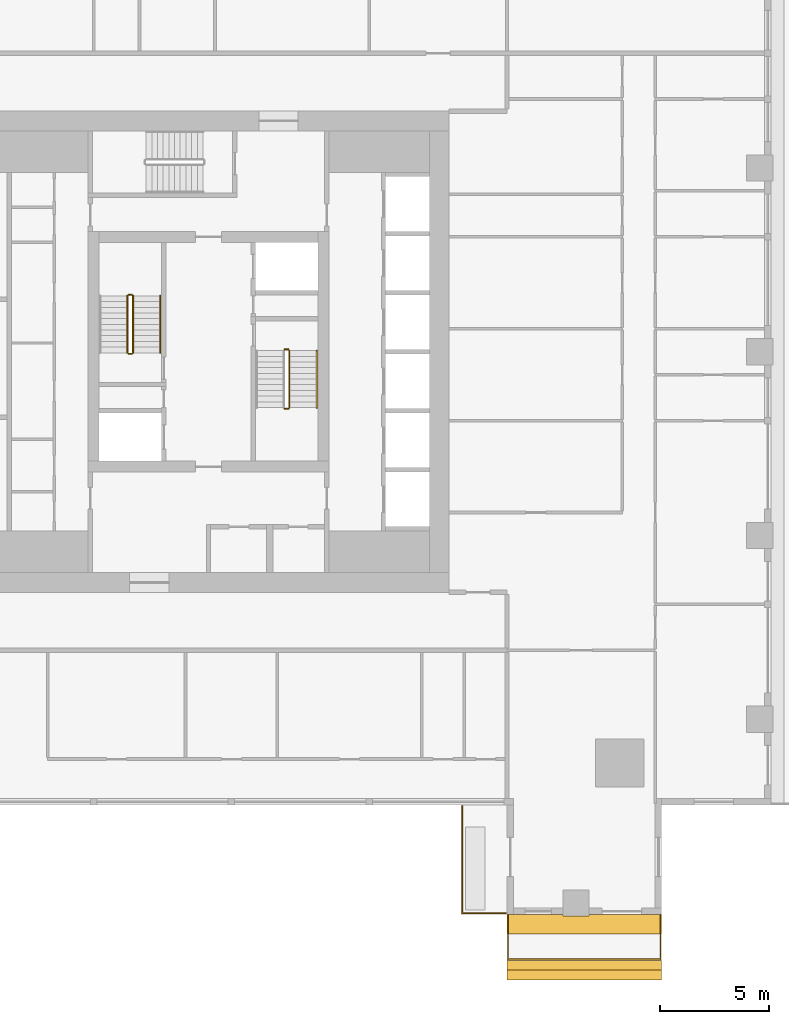
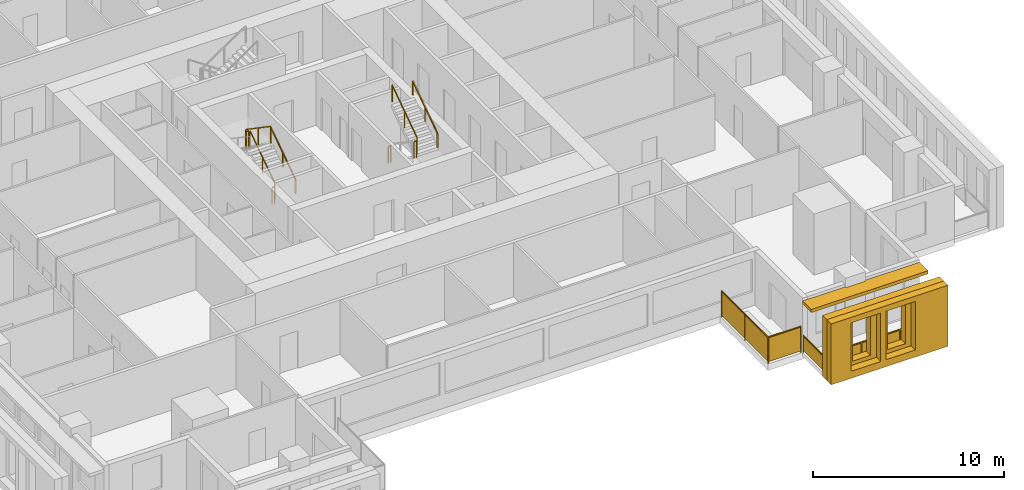
# One storey, part 11 of 14: 11 railings, 3 shading devices.
"""IFC4 building model written with IfcOpenShell, lengths in metres."""

from ifc_helpers import new_model, si_unit, direction, frame, origin, origin_2d, place, context, subcontext, project, spatial, polyline, rectangle, outline, extrude, material, layer, layer_set, type_object, element, save


model = new_model("IFC4")

# Units and contexts
model_context = context("Model", 3, precision=1e-05, world=origin(), true_north=direction((0.0, 1.0)))
body_context = subcontext(model_context, "Body", "Model", "MODEL_VIEW")
ifc_project = project(units=[si_unit("LENGTHUNIT", "METRE"), si_unit("AREAUNIT", "SQUARE_METRE"), si_unit("VOLUMEUNIT", "CUBIC_METRE"), si_unit("PLANEANGLEUNIT", "RADIAN"), si_unit("MASSUNIT", "GRAM", prefix="KILO")], contexts=[model_context])

# Site, building, storey
site_placement = place(None, origin())
site = spatial("IfcSite", under=ifc_project, at=site_placement, CompositionType="ELEMENT")
building_placement = place(site_placement, origin())
building = spatial("IfcBuilding", under=site, at=building_placement, Name="Khepri Terraces", CompositionType="ELEMENT")
storey_placement = place(building_placement, frame((0.0, 0.0, 279.60009765625)))
storey = spatial("IfcBuildingStorey", under=building, at=storey_placement, Name="L67", CompositionType="ELEMENT", Elevation=279.60009765625)

# Railings
ifc_material_1 = material(Name="Stainless steel grade 316", Category="steel")
railing_type_1 = type_object("IfcRailingType", Name="GRD-BAL-1100", PredefinedType="GUARDRAIL", material=ifc_material_1)
railing_1_placement = place(storey_placement, frame((13.699951171875, -25.719970703125, 0.0)))
element("IfcRailing", 1, at=railing_1_placement, inside=storey, type_object=railing_type_1, Name="Balcony guard L67 S", PredefinedType="GUARDRAIL", context=body_context, shape_type="SweptSolid", body=[
    extrude(rectangle(XDim=0.050048828125, YDim=0.06005859375, at=origin_2d()), frame((0.0, 0.0, 1.070068359375), z_axis=(0.0, -1.0, 0.0), x_axis=(1.0, 0.0, 0.0)), (0.0, 0.0, 1.0), 2.050048828125),
    extrude(rectangle(XDim=2.0, YDim=0.011962890625, at=origin_2d()), frame((0.0, -1.02490234375, 0.10009765625), z_axis=(0.0, 0.0, 1.0), x_axis=(0.0, -1.0, 0.0)), (0.0, 0.0, 1.0), 0.93994140625),
    extrude(rectangle(XDim=0.050048828125, YDim=0.06005859375, at=origin_2d()), frame((0.0, -2.050048828125, 1.070068359375), z_axis=(1.0, 0.0, 0.0), x_axis=(0.0, 1.0, 0.0)), (0.0, 0.0, 1.0), 6.969970703125),
    extrude(rectangle(XDim=2.273193359375, YDim=0.011962890625, at=origin_2d()), frame((1.16162109375, -2.050048828125, 0.10009765625), z_axis=(0.0, 0.0, 1.0), x_axis=(1.0, 0.0, 0.0)), (0.0, 0.0, 1.0), 0.93994140625),
    extrude(rectangle(XDim=2.273193359375, YDim=0.011962890625, at=origin_2d()), frame((3.48486328125, -2.050048828125, 0.10009765625), z_axis=(0.0, 0.0, 1.0), x_axis=(1.0, 0.0, 0.0)), (0.0, 0.0, 1.0), 0.93994140625),
    extrude(rectangle(XDim=2.273193359375, YDim=0.011962890625, at=origin_2d()), frame((5.808349609375, -2.050048828125, 0.10009765625), z_axis=(0.0, 0.0, 1.0), x_axis=(1.0, 0.0, 0.0)), (0.0, 0.0, 1.0), 0.93994140625),
    extrude(rectangle(XDim=0.050048828125, YDim=0.06005859375, at=origin_2d()), frame((6.969970703125, -2.050048828125, 1.070068359375), z_axis=(0.0, 1.0, 0.0), x_axis=(-1.0, 0.0, 0.0)), (0.0, 0.0, 1.0), 2.050048828125),
    extrude(rectangle(XDim=2.0, YDim=0.011962890625, at=origin_2d()), frame((6.969970703125, -1.02490234375, 0.10009765625), z_axis=(0.0, 0.0, 1.0), x_axis=(0.0, 1.0, 0.0)), (0.0, 0.0, 1.0), 0.93994140625),
    extrude(rectangle(XDim=0.050048828125, YDim=0.050048828125, at=origin_2d()), origin(), (0.0, 0.0, 1.0), 1.0400390625),
    extrude(rectangle(XDim=0.050048828125, YDim=0.050048828125, at=origin_2d()), frame((0.0, -2.050048828125, 0.0)), (0.0, 0.0, 1.0), 1.0400390625),
    extrude(rectangle(XDim=0.050048828125, YDim=0.050048828125, at=origin_2d()), frame((2.3232421875, -2.050048828125, 0.0)), (0.0, 0.0, 1.0), 1.0400390625),
    extrude(rectangle(XDim=0.050048828125, YDim=0.050048828125, at=origin_2d()), frame((4.646728515625, -2.050048828125, 0.0)), (0.0, 0.0, 1.0), 1.0400390625),
    extrude(rectangle(XDim=0.050048828125, YDim=0.050048828125, at=origin_2d()), frame((6.969970703125, -2.050048828125, 0.0)), (0.0, 0.0, 1.0), 1.0400390625),
    extrude(rectangle(XDim=0.050048828125, YDim=0.050048828125, at=origin_2d()), frame((6.969970703125, 0.0, 0.0)), (0.0, 0.0, 1.0), 1.0400390625),
])
railing_type_2 = type_object("IfcRailingType", Name="GRD-TERR-1700", PredefinedType="GUARDRAIL", material=ifc_material_1)
railing_2_placement = place(storey_placement, frame((13.580078125, -25.669921875, 0.0)))
element("IfcRailing", 2, at=railing_2_placement, inside=storey, type_object=railing_type_2, Name="Terrace guard L67", PredefinedType="GUARDRAIL", context=body_context, shape_type="SweptSolid", body=[
    extrude(rectangle(XDim=0.050048828125, YDim=0.06005859375, at=origin_2d()), frame((0.0, 0.0, 1.669921875), z_axis=(-1.0, 0.0, 0.0), x_axis=(0.0, -1.0, 0.0)), (0.0, 0.0, 1.0), 1.97998046875),
    extrude(rectangle(XDim=1.929931640625, YDim=0.011962890625, at=origin_2d()), frame((-0.989990234375, 0.0, 0.10009765625), z_axis=(0.0, 0.0, 1.0), x_axis=(-1.0, 0.0, 0.0)), (0.0, 0.0, 1.0), 1.539794921875),
    extrude(rectangle(XDim=0.050048828125, YDim=0.06005859375, at=origin_2d()), frame((-1.97998046875, 0.0, 1.669921875), z_axis=(0.0, 1.0, 0.0), x_axis=(-1.0, 0.0, 0.0)), (0.0, 0.0, 1.0), 4.8798828125),
    extrude(rectangle(XDim=2.389892578125, YDim=0.011962890625, at=origin_2d()), frame((-1.97998046875, 1.219970703125, 0.10009765625), z_axis=(0.0, 0.0, 1.0), x_axis=(0.0, 1.0, 0.0)), (0.0, 0.0, 1.0), 1.539794921875),
    extrude(rectangle(XDim=2.389892578125, YDim=0.011962890625, at=origin_2d()), frame((-1.97998046875, 3.659912109375, 0.10009765625), z_axis=(0.0, 0.0, 1.0), x_axis=(0.0, 1.0, 0.0)), (0.0, 0.0, 1.0), 1.539794921875),
    extrude(rectangle(XDim=0.050048828125, YDim=0.050048828125, at=origin_2d()), origin(), (0.0, 0.0, 1.0), 1.639892578125),
    extrude(rectangle(XDim=0.050048828125, YDim=0.050048828125, at=origin_2d()), frame((-1.97998046875, 0.0, 0.0)), (0.0, 0.0, 1.0), 1.639892578125),
    extrude(rectangle(XDim=0.050048828125, YDim=0.050048828125, at=origin_2d()), frame((-1.97998046875, 2.43994140625, 0.0)), (0.0, 0.0, 1.0), 1.639892578125),
    extrude(rectangle(XDim=0.050048828125, YDim=0.050048828125, at=origin_2d()), frame((-1.97998046875, 4.8798828125, 0.0)), (0.0, 0.0, 1.0), 1.639892578125),
])
ifc_material_2 = material(Name="Stainless steel 316", Category="steel")
railing_type_3 = type_object("IfcRailingType", Name="RL-CORE-GUARD", PredefinedType="GUARDRAIL", material=ifc_material_2)
railing_3_placement = place(storey_placement, frame((-3.449951171875, -0.050048828125, 0.17724609375)))
element("IfcRailing", 3, at=railing_3_placement, inside=storey, type_object=railing_type_3, Name="L67 ST-1 stair guard 1", PredefinedType="GUARDRAIL", context=body_context, shape_type="SweptSolid", body=[
    extrude(rectangle(XDim=0.050048828125, YDim=0.06005859375, at=origin_2d()), frame((0.0, 0.0, 1.070068359375), z_axis=(0.0, 0.826240473404, 0.563317565952), x_axis=(-1.0, 0.0, 0.0)), (0.0, 0.0, 1.0), 3.14697265625),
    extrude(rectangle(XDim=0.050048828125, YDim=0.050048828125, at=origin_2d()), origin(), (0.0, 0.0, 1.0), 1.0400390625),
    extrude(rectangle(XDim=0.050048828125, YDim=0.050048828125, at=origin_2d()), frame((0.0, 1.300048828125, 0.88623046875)), (0.0, 0.0, 1.0), 1.0400390625),
    extrude(rectangle(XDim=0.050048828125, YDim=0.050048828125, at=origin_2d()), frame((0.0, 2.60009765625, 1.772705078125)), (0.0, 0.0, 1.0), 1.0400390625),
])
railing_4_placement = place(storey_placement, frame((-3.5, 2.60009765625, 1.949951171875)))
element("IfcRailing", 4, at=railing_4_placement, inside=storey, type_object=railing_type_3, Name="L67 ST-1 stair guard 2", PredefinedType="GUARDRAIL", context=body_context, shape_type="SweptSolid", body=[
    extrude(rectangle(XDim=0.050048828125, YDim=0.06005859375, at=origin_2d()), frame((0.0, 0.0, 1.070068359375), z_axis=(-1.0, 0.0, 0.0), x_axis=(0.0, -1.0, 0.0)), (0.0, 0.0, 1.0), 0.14990234375),
    extrude(rectangle(XDim=0.050048828125, YDim=0.050048828125, at=origin_2d()), origin(), (0.0, 0.0, 1.0), 1.0400390625),
    extrude(rectangle(XDim=0.050048828125, YDim=0.050048828125, at=origin_2d()), frame((-0.14990234375, 0.0, 0.0)), (0.0, 0.0, 1.0), 1.0400390625),
])
railing_5_placement = place(storey_placement, frame((-3.699951171875, 2.550048828125, 2.127197265625)))
element("IfcRailing", 5, at=railing_5_placement, inside=storey, type_object=railing_type_3, Name="L67 ST-1 stair guard 3", PredefinedType="GUARDRAIL", context=body_context, shape_type="SweptSolid", body=[
    extrude(rectangle(XDim=0.050048828125, YDim=0.06005859375, at=origin_2d()), frame((0.0, 0.0, 1.070068359375), z_axis=(0.0, -0.826240473404, 0.563317565952), x_axis=(1.0, 0.0, 0.0)), (0.0, 0.0, 1.0), 3.14697265625),
    extrude(rectangle(XDim=0.050048828125, YDim=0.050048828125, at=origin_2d()), origin(), (0.0, 0.0, 1.0), 1.0400390625),
    extrude(rectangle(XDim=0.050048828125, YDim=0.050048828125, at=origin_2d()), frame((0.0, -1.300048828125, 0.88623046875)), (0.0, 0.0, 1.0), 1.0400390625),
    extrude(rectangle(XDim=0.050048828125, YDim=0.050048828125, at=origin_2d()), frame((0.0, -2.60009765625, 1.772705078125)), (0.0, 0.0, 1.0), 1.0400390625),
])
railing_6_placement = place(storey_placement, frame((-3.5, -0.10009765625, 0.0)))
element("IfcRailing", 6, at=railing_6_placement, inside=storey, type_object=railing_type_3, Name="L67 ST-1 stair guard 4", PredefinedType="GUARDRAIL", context=body_context, shape_type="SweptSolid", body=[
    extrude(rectangle(XDim=0.050048828125, YDim=0.06005859375, at=origin_2d()), frame((0.0, 0.0, 1.070068359375), z_axis=(-1.0, 0.0, 0.0), x_axis=(0.0, -1.0, 0.0)), (0.0, 0.0, 1.0), 0.14990234375),
    extrude(rectangle(XDim=0.050048828125, YDim=0.050048828125, at=origin_2d()), origin(), (0.0, 0.0, 1.0), 1.0400390625),
    extrude(rectangle(XDim=0.050048828125, YDim=0.050048828125, at=origin_2d()), frame((-0.14990234375, 0.0, 0.0)), (0.0, 0.0, 1.0), 1.0400390625),
])
railing_7_placement = place(storey_placement, frame((3.5, -2.60009765625, 1.949951171875)))
element("IfcRailing", 7, at=railing_7_placement, inside=storey, type_object=railing_type_3, Name="L67 ST-2 stair guard 2", PredefinedType="GUARDRAIL", context=body_context, shape_type="SweptSolid", body=[
    extrude(rectangle(XDim=0.050048828125, YDim=0.06005859375, at=origin_2d()), frame((0.0, 0.0, 1.070068359375), z_axis=(1.0, 0.0, 0.0), x_axis=(0.0, 1.0, 0.0)), (0.0, 0.0, 1.0), 0.14990234375),
    extrude(rectangle(XDim=0.050048828125, YDim=0.050048828125, at=origin_2d()), origin(), (0.0, 0.0, 1.0), 1.0400390625),
    extrude(rectangle(XDim=0.050048828125, YDim=0.050048828125, at=origin_2d()), frame((0.14990234375, 0.0, 0.0)), (0.0, 0.0, 1.0), 1.0400390625),
])
railing_8_placement = place(storey_placement, frame((3.699951171875, -2.550048828125, 2.127197265625)))
element("IfcRailing", 8, at=railing_8_placement, inside=storey, type_object=railing_type_3, Name="L67 ST-2 stair guard 3", PredefinedType="GUARDRAIL", context=body_context, shape_type="SweptSolid", body=[
    extrude(rectangle(XDim=0.050048828125, YDim=0.06005859375, at=origin_2d()), frame((0.0, 0.0, 1.070068359375), z_axis=(0.0, 0.826240473404, 0.563317565952), x_axis=(-1.0, 0.0, 0.0)), (0.0, 0.0, 1.0), 3.14697265625),
    extrude(rectangle(XDim=0.050048828125, YDim=0.050048828125, at=origin_2d()), origin(), (0.0, 0.0, 1.0), 1.0400390625),
    extrude(rectangle(XDim=0.050048828125, YDim=0.050048828125, at=origin_2d()), frame((0.0, 1.300048828125, 0.88623046875)), (0.0, 0.0, 1.0), 1.0400390625),
    extrude(rectangle(XDim=0.050048828125, YDim=0.050048828125, at=origin_2d()), frame((0.0, 2.60009765625, 1.772705078125)), (0.0, 0.0, 1.0), 1.0400390625),
])
railing_9_placement = place(storey_placement, frame((3.5, 0.10009765625, 0.0)))
element("IfcRailing", 9, at=railing_9_placement, inside=storey, type_object=railing_type_3, Name="L67 ST-2 stair guard 4", PredefinedType="GUARDRAIL", context=body_context, shape_type="SweptSolid", body=[
    extrude(rectangle(XDim=0.050048828125, YDim=0.06005859375, at=origin_2d()), frame((0.0, 0.0, 1.070068359375), z_axis=(1.0, 0.0, 0.0), x_axis=(0.0, 1.0, 0.0)), (0.0, 0.0, 1.0), 0.14990234375),
    extrude(rectangle(XDim=0.050048828125, YDim=0.050048828125, at=origin_2d()), origin(), (0.0, 0.0, 1.0), 1.0400390625),
    extrude(rectangle(XDim=0.050048828125, YDim=0.050048828125, at=origin_2d()), frame((0.14990234375, 0.0, 0.0)), (0.0, 0.0, 1.0), 1.0400390625),
])
railing_type_4 = type_object("IfcRailingType", Name="RL-CORE-HANDRAIL", PredefinedType="HANDRAIL", material=ifc_material_2)
for number, where, name in (
    (10, (-2.199951171875, -0.050048828125, 0.17724609375), "L67 ST-1 stair handrail 1"),
    (11, (4.949951171875, -2.550048828125, 2.127197265625), "L67 ST-2 stair handrail 2"),
):
    element("IfcRailing", number, at=place(storey_placement, frame(where)), inside=storey, type_object=railing_type_4, Name=name, PredefinedType="HANDRAIL", context=body_context, shape_type="SweptSolid", body=[
        extrude(rectangle(XDim=0.050048828125, YDim=0.050048828125, at=origin_2d()), frame((0.0, 0.0, 0.875), z_axis=(0.0, 0.826240473404, 0.563317565952), x_axis=(-1.0, 0.0, 0.0)), (0.0, 0.0, 1.0), 3.14697265625),
        extrude(rectangle(XDim=0.050048828125, YDim=0.050048828125, at=origin_2d()), origin(), (0.0, 0.0, 1.0), 0.849853515625),
        extrude(rectangle(XDim=0.050048828125, YDim=0.050048828125, at=origin_2d()), frame((0.0, 1.300048828125, 0.88623046875)), (0.0, 0.0, 1.0), 0.849853515625),
        extrude(rectangle(XDim=0.050048828125, YDim=0.050048828125, at=origin_2d()), frame((0.0, 2.60009765625, 1.772705078125)), (0.0, 0.0, 1.0), 0.849853515625),
    ])

# Shading devices
ifc_material_3 = material(Name="Precast concrete C50/60 warm stone", Category="masonry")
shading_device_type_1 = type_object("IfcShadingDeviceType", Name="SCR-CELL-INNER-450", PredefinedType="USERDEFINED", material=ifc_material_3)
shading_device_1_placement = place(storey_placement, frame((13.64990234375, -27.820068359375, -0.25), z_axis=(0.0, -1.0, 0.0), x_axis=(1.0, 0.0, 0.0)))
element("IfcShadingDevice", 12, at=shading_device_1_placement, inside=storey, type_object=shading_device_type_1, Name="Cell screen L67 S in", ObjectType="SCREEN", PredefinedType="USERDEFINED", context=body_context, shape_type="SweptSolid", body=[
    extrude(outline(polyline([(0.0, 0.0), (7.070068359375, 0.0), (7.070068359375, 3.89990234375), (0.0, 3.89990234375), (0.0, 0.0)]), holes=[polyline([(1.556640625, 0.699951171875), (2.643310546875, 0.699951171875), (2.643310546875, 3.300048828125), (1.556640625, 3.300048828125), (1.556640625, 0.699951171875)]), polyline([(3.656494140625, 0.699951171875), (4.743408203125, 0.699951171875), (4.743408203125, 3.300048828125), (3.656494140625, 3.300048828125), (3.656494140625, 0.699951171875)]), polyline([(5.756591796875, 0.699951171875), (6.843505859375, 0.699951171875), (6.843505859375, 3.300048828125), (5.756591796875, 3.300048828125), (5.756591796875, 0.699951171875)])]), origin(), (0.0, 0.0, 1.0), 0.449951171875),
])
shading_device_type_2 = type_object("IfcShadingDeviceType", Name="SCR-CELL-OUTER-450", PredefinedType="USERDEFINED", material=ifc_material_3)
shading_device_2_placement = place(storey_placement, frame((13.64990234375, -28.27001953125, -0.25), z_axis=(0.0, -1.0, 0.0), x_axis=(1.0, 0.0, 0.0)))
element("IfcShadingDevice", 13, at=shading_device_2_placement, inside=storey, type_object=shading_device_type_2, Name="Cell screen L67 S out", ObjectType="SCREEN", PredefinedType="USERDEFINED", context=body_context, shape_type="SweptSolid", body=[
    extrude(outline(polyline([(0.0, 0.0), (7.070068359375, 0.0), (7.070068359375, 3.89990234375), (0.0, 3.89990234375), (0.0, 0.0)]), holes=[polyline([(1.20654296875, 0.449951171875), (2.993408203125, 0.449951171875), (2.993408203125, 3.550048828125), (1.20654296875, 3.550048828125), (1.20654296875, 0.449951171875)]), polyline([(3.306640625, 0.449951171875), (5.093505859375, 0.449951171875), (5.093505859375, 3.550048828125), (3.306640625, 3.550048828125), (3.306640625, 0.449951171875)])]), origin(), (0.0, 0.0, 1.0), 0.449951171875),
])
ifc_layer = layer(ifc_material_3, 0.199951171875, Name="Precast concrete C50/60 warm stone", Category="masonry")
ifc_layer_set = layer_set([ifc_layer], Name="Precast concrete C50/60 warm stone")
shading_device_type_3 = type_object("IfcShadingDeviceType", Name="SSH-BAND-STONE-200", PredefinedType="USERDEFINED", material=ifc_layer_set)
shading_device_3_placement = place(storey_placement, frame((0.0, 0.0, 3.099853515625)))
element("IfcShadingDevice", 14, at=shading_device_3_placement, inside=storey, type_object=shading_device_type_3, Name="Sunshade band L67 S", ObjectType="SUNSHADE", PredefinedType="USERDEFINED", context=body_context, shape_type="SweptSolid", body=[
    extrude(outline(polyline([(16.199951171875, -25.719970703125), (13.64990234375, -25.719970703125), (13.64990234375, -26.6201171875), (20.719970703125, -26.6201171875), (20.719970703125, -25.719970703125), (17.39990234375, -25.719970703125), (17.39990234375, -25.800048828125), (16.199951171875, -25.800048828125), (16.199951171875, -25.719970703125)])), origin(), (0.0, 0.0, 1.0), 0.199951171875),
])

save(model, "model.ifc")
